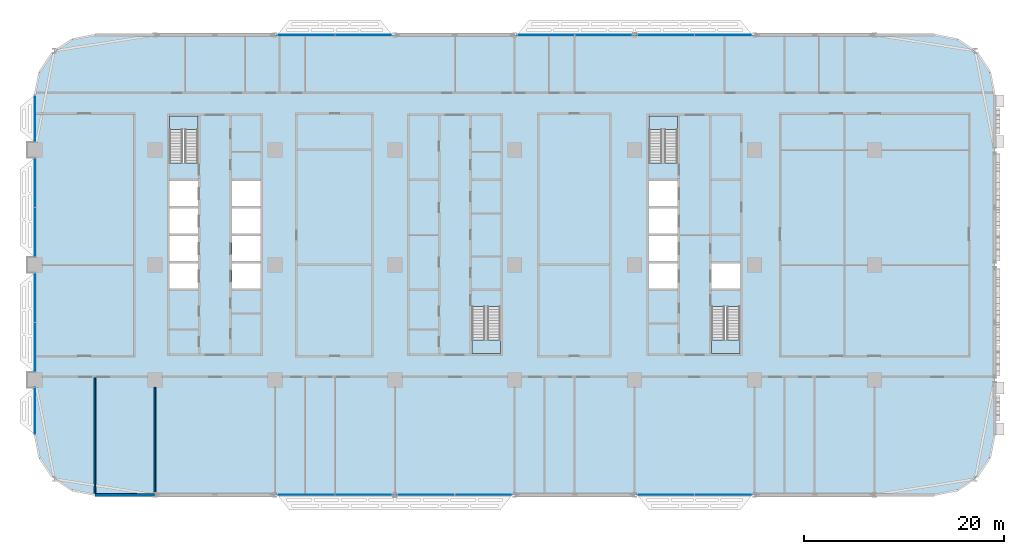
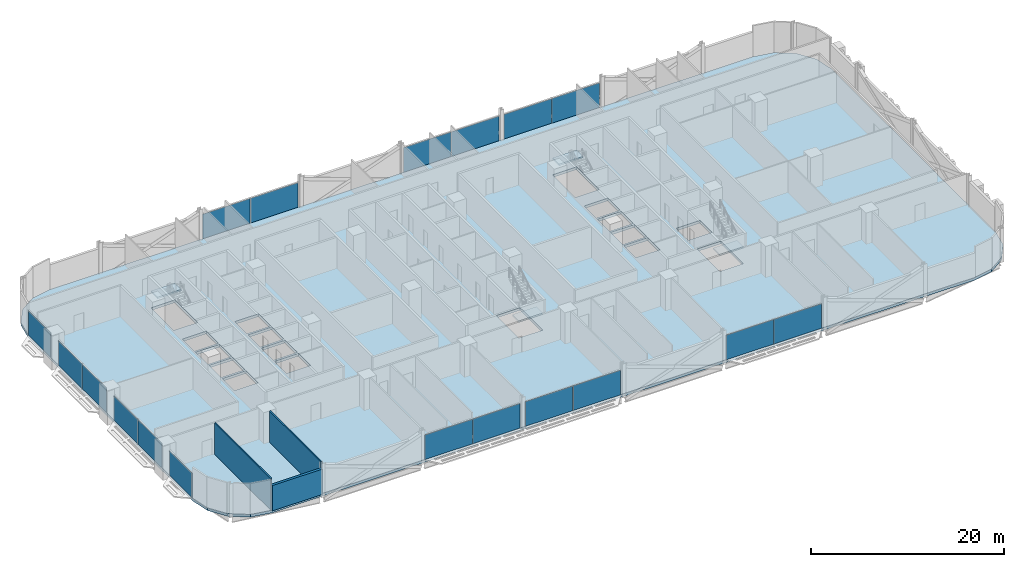
# One storey, part 11 of 29: 18 plates, 5 slabs, 3 walls, 14 elements without a shape of their own.
"""IFC4 building model written with IfcOpenShell, lengths in metres."""

from ifc_helpers import new_model, si_unit, direction, frame, frame_2d, origin, origin_2d, place, context, subcontext, project, spatial, polyline, rectangle, outline, extrude, material, layer, layer_set, type_object, element, aggregate, save


model = new_model("IFC4")

# Units and contexts
model_context = context("Model", 3, precision=1e-05, world=origin(), true_north=direction((0.0, 1.0)))
body_context = subcontext(model_context, "Body", "Model", "MODEL_VIEW")
ifc_project = project(units=[si_unit("LENGTHUNIT", "METRE"), si_unit("AREAUNIT", "SQUARE_METRE"), si_unit("VOLUMEUNIT", "CUBIC_METRE"), si_unit("PLANEANGLEUNIT", "RADIAN"), si_unit("MASSUNIT", "GRAM", prefix="KILO")], contexts=[model_context])

# Site, building, storey
site_placement = place(None, origin())
site = spatial("IfcSite", under=ifc_project, at=site_placement, CompositionType="ELEMENT")
building_placement = place(site_placement, origin())
building = spatial("IfcBuilding", under=site, at=building_placement, Name="Mahtab Terrace Research Tower", CompositionType="ELEMENT")
storey_placement = place(building_placement, frame((0.0, 0.0, 67.5)))
storey = spatial("IfcBuildingStorey", under=building, at=storey_placement, Name="L15", CompositionType="ELEMENT", Elevation=67.5)

# Stair, slab
ifc_material_1 = material(Name="Exit stair half-turn")
stair_type = type_object("IfcStairType", Name="Exit stair half-turn", PredefinedType="HALF_TURN_STAIR", material=ifc_material_1)
stair_1_placement = place(storey_placement, origin())
stair_1 = element("IfcStair", 1, at=stair_1_placement, inside=storey, type_object=stair_type, Name="L15 Protected exit stair ST1", PredefinedType="HALF_TURN_STAIR")
ifc_material_2 = material(Name="Concrete C40/50", Category="concrete")
ifc_layer_1 = layer(ifc_material_2, 0.199951171875)
ifc_layer_set_1 = layer_set([ifc_layer_1], Name="Exit stair landing 200")
slab_type_1 = type_object("IfcSlabType", Name="Exit stair landing 200", PredefinedType="LANDING", material=ifc_layer_set_1)
slab_1_placement = place(storey_placement, frame((0.0, 0.0, 1.949951171875)))
slab_1 = element("IfcSlab", 2, at=slab_1_placement, type_object=slab_type_1, Name="ST1 landing 1", PredefinedType="LANDING", context=body_context, shape_type="SweptSolid", body=[
    extrude(outline(polyline([(-25.699951171875, 13.534912109375), (-25.699951171875, 14.875), (-28.550048828125, 14.875), (-28.550048828125, 13.534912109375), (-25.699951171875, 13.534912109375)])), origin(), (0.0, 0.0, 1.0), 0.199951171875),
])
aggregate(stair_1, [slab_1])

stair_2_placement = place(storey_placement, origin())
stair_2 = element("IfcStair", 3, at=stair_2_placement, inside=storey, type_object=stair_type, Name="L15 Protected exit stair ST2", PredefinedType="HALF_TURN_STAIR")
slab_2_placement = place(storey_placement, frame((0.0, 0.0, 1.949951171875)))
slab_2 = element("IfcSlab", 4, at=slab_2_placement, type_object=slab_type_1, Name="ST2 landing 1", PredefinedType="LANDING", context=body_context, shape_type="SweptSolid", body=[
    extrude(outline(polyline([(1.699951171875, -7.534912109375), (1.699951171875, -8.875), (4.550048828125, -8.875), (4.550048828125, -7.534912109375), (1.699951171875, -7.534912109375)])), origin(), (0.0, 0.0, 1.0), 0.199951171875),
])
aggregate(stair_2, [slab_2])

stair_3_placement = place(storey_placement, origin())
stair_3 = element("IfcStair", 5, at=stair_3_placement, inside=storey, type_object=stair_type, Name="L15 Protected exit stair ST3", PredefinedType="HALF_TURN_STAIR")
slab_3_placement = place(storey_placement, frame((0.0, 0.0, 1.949951171875)))
slab_3 = element("IfcSlab", 6, at=slab_3_placement, type_object=slab_type_1, Name="ST3 landing 1", PredefinedType="LANDING", context=body_context, shape_type="SweptSolid", body=[
    extrude(outline(polyline([(22.300048828125, 13.534912109375), (22.300048828125, 14.875), (19.449951171875, 14.875), (19.449951171875, 13.534912109375), (22.300048828125, 13.534912109375)])), origin(), (0.0, 0.0, 1.0), 0.199951171875),
])
aggregate(stair_3, [slab_3])

stair_4_placement = place(storey_placement, origin())
stair_4 = element("IfcStair", 7, at=stair_4_placement, inside=storey, type_object=stair_type, Name="L15 Protected exit stair ST4", PredefinedType="HALF_TURN_STAIR")
slab_4_placement = place(storey_placement, frame((0.0, 0.0, 1.949951171875)))
slab_4 = element("IfcSlab", 8, at=slab_4_placement, type_object=slab_type_1, Name="ST4 landing 1", PredefinedType="LANDING", context=body_context, shape_type="SweptSolid", body=[
    extrude(outline(polyline([(25.699951171875, -7.534912109375), (25.699951171875, -8.875), (28.550048828125, -8.875), (28.550048828125, -7.534912109375), (25.699951171875, -7.534912109375)])), origin(), (0.0, 0.0, 1.0), 0.199951171875),
])
aggregate(stair_4, [slab_4])

# Curtain wall, plates
ifc_material_3 = material(Name="Laboratory ribbon curtain wall")
curtain_wall_type = type_object("IfcCurtainWallType", Name="Laboratory ribbon curtain wall", PredefinedType="NOTDEFINED", material=ifc_material_3)
curtain_wall_1_placement = place(storey_placement, origin())
curtain_wall_1 = element("IfcCurtainWall", 9, at=curtain_wall_1_placement, inside=storey, type_object=curtain_wall_type, Name="EN.L15.3.5", PredefinedType="NOTDEFINED")
ifc_material_4 = material(Name="Dark glazing", Category="glass")
ifc_layer_2 = layer(ifc_material_4, 0.031982421875)
ifc_layer_set_2 = layer_set([ifc_layer_2], Name="Laboratory ribbon curtain wall glazing panel")
plate_type = type_object("IfcPlateType", Name="Laboratory ribbon curtain wall glazing panel", PredefinedType="CURTAIN_PANEL", material=ifc_layer_set_2)
plate_1_placement = place(storey_placement, frame((26.86474609375, 23.0, 0.0), z_axis=(0.0, 0.0, 1.0), x_axis=(-1.0, 0.0, 0.0)))
plate_1 = element("IfcPlate", 10, at=plate_1_placement, type_object=plate_type, Name="CWL-2 panel 1", PredefinedType="CURTAIN_PANEL", context=body_context, shape_type="SweptSolid", body=[
    extrude(rectangle(XDim=5.66455078125, YDim=0.031982421875, at=origin_2d()), origin(), (0.0, 0.0, 1.0), 3.10302734375),
])
plate_2_placement = place(storey_placement, frame((21.13525390625, 23.0, 0.0), z_axis=(0.0, 0.0, 1.0), x_axis=(-1.0, 0.0, 0.0)))
plate_2 = element("IfcPlate", 11, at=plate_2_placement, type_object=plate_type, Name="CWL-2 panel 2", PredefinedType="CURTAIN_PANEL", context=body_context, shape_type="SweptSolid", body=[
    extrude(rectangle(XDim=5.66455078125, YDim=0.031982421875, at=origin_2d()), origin(), (0.0, 0.0, 1.0), 3.10302734375),
])
aggregate(curtain_wall_1, [plate_1, plate_2])

curtain_wall_2_placement = place(storey_placement, origin())
curtain_wall_2 = element("IfcCurtainWall", 12, at=curtain_wall_2_placement, inside=storey, type_object=curtain_wall_type, Name="EN.L15.3.6", PredefinedType="NOTDEFINED")
plate_3_placement = place(storey_placement, frame((14.86474609375, 23.0, 0.0), z_axis=(0.0, 0.0, 1.0), x_axis=(-1.0, 0.0, 0.0)))
plate_3 = element("IfcPlate", 13, at=plate_3_placement, type_object=plate_type, Name="CWL-2 panel 1", PredefinedType="CURTAIN_PANEL", context=body_context, shape_type="SweptSolid", body=[
    extrude(rectangle(XDim=5.66455078125, YDim=0.031982421875, at=origin_2d()), origin(), (0.0, 0.0, 1.0), 3.10302734375),
])
plate_4_placement = place(storey_placement, frame((9.13525390625, 23.0, 0.0), z_axis=(0.0, 0.0, 1.0), x_axis=(-1.0, 0.0, 0.0)))
plate_4 = element("IfcPlate", 14, at=plate_4_placement, type_object=plate_type, Name="CWL-2 panel 2", PredefinedType="CURTAIN_PANEL", context=body_context, shape_type="SweptSolid", body=[
    extrude(rectangle(XDim=5.66455078125, YDim=0.031982421875, at=origin_2d()), origin(), (0.0, 0.0, 1.0), 3.10302734375),
])
aggregate(curtain_wall_2, [plate_3, plate_4])

curtain_wall_3_placement = place(storey_placement, origin())
curtain_wall_3 = element("IfcCurtainWall", 15, at=curtain_wall_3_placement, inside=storey, type_object=curtain_wall_type, Name="EN.L15.3.8", PredefinedType="NOTDEFINED")
plate_5_placement = place(storey_placement, frame((-9.13525390625, 23.0, 0.0), z_axis=(0.0, 0.0, 1.0), x_axis=(-1.0, 0.0, 0.0)))
plate_5 = element("IfcPlate", 16, at=plate_5_placement, type_object=plate_type, Name="CWL-2 panel 1", PredefinedType="CURTAIN_PANEL", context=body_context, shape_type="SweptSolid", body=[
    extrude(rectangle(XDim=5.66455078125, YDim=0.031982421875, at=origin_2d()), origin(), (0.0, 0.0, 1.0), 3.10302734375),
])
plate_6_placement = place(storey_placement, frame((-14.86474609375, 23.0, 0.0), z_axis=(0.0, 0.0, 1.0), x_axis=(-1.0, 0.0, 0.0)))
plate_6 = element("IfcPlate", 17, at=plate_6_placement, type_object=plate_type, Name="CWL-2 panel 2", PredefinedType="CURTAIN_PANEL", context=body_context, shape_type="SweptSolid", body=[
    extrude(rectangle(XDim=5.66455078125, YDim=0.031982421875, at=origin_2d()), origin(), (0.0, 0.0, 1.0), 3.10302734375),
])
aggregate(curtain_wall_3, [plate_5, plate_6])

# Curtain wall, plate
curtain_wall_4_placement = place(storey_placement, origin())
curtain_wall_4 = element("IfcCurtainWall", 18, at=curtain_wall_4_placement, inside=storey, type_object=curtain_wall_type, Name="EN.L15.8.15", PredefinedType="NOTDEFINED")
plate_7_placement = place(storey_placement, frame((-42.0, 14.625, 0.0), z_axis=(0.0, 0.0, 1.0), x_axis=(0.0, -1.0, 0.0)))
plate_7 = element("IfcPlate", 19, at=plate_7_placement, type_object=plate_type, Name="CWL-2 panel 1", PredefinedType="CURTAIN_PANEL", context=body_context, shape_type="SweptSolid", body=[
    extrude(rectangle(XDim=4.6201171875, YDim=0.031982421875, at=origin_2d()), origin(), (0.0, 0.0, 1.0), 3.10302734375),
])
aggregate(curtain_wall_4, [plate_7])

# Curtain wall, plates
curtain_wall_5_placement = place(storey_placement, origin())
curtain_wall_5 = element("IfcCurtainWall", 20, at=curtain_wall_5_placement, inside=storey, type_object=curtain_wall_type, Name="EN.L15.8.16", PredefinedType="NOTDEFINED")
plate_8_placement = place(storey_placement, frame((-42.0, 8.233642578125, 0.0), z_axis=(0.0, 0.0, 1.0), x_axis=(0.0, -1.0, 0.0)))
plate_8 = element("IfcPlate", 21, at=plate_8_placement, type_object=plate_type, Name="CWL-2 panel 1", PredefinedType="CURTAIN_PANEL", context=body_context, shape_type="SweptSolid", body=[
    extrude(rectangle(XDim=4.902587890625, YDim=0.031982421875, at=origin_2d()), origin(), (0.0, 0.0, 1.0), 3.10302734375),
])
plate_9_placement = place(storey_placement, frame((-42.0, 3.266357421875, 0.0), z_axis=(0.0, 0.0, 1.0), x_axis=(0.0, -1.0, 0.0)))
plate_9 = element("IfcPlate", 22, at=plate_9_placement, type_object=plate_type, Name="CWL-2 panel 2", PredefinedType="CURTAIN_PANEL", context=body_context, shape_type="SweptSolid", body=[
    extrude(rectangle(XDim=4.902587890625, YDim=0.031982421875, at=origin_2d()), origin(), (0.0, 0.0, 1.0), 3.10302734375),
])
aggregate(curtain_wall_5, [plate_8, plate_9])

curtain_wall_6_placement = place(storey_placement, origin())
curtain_wall_6 = element("IfcCurtainWall", 23, at=curtain_wall_6_placement, inside=storey, type_object=curtain_wall_type, Name="EN.L15.8.17", PredefinedType="NOTDEFINED")
plate_10_placement = place(storey_placement, frame((-42.0, -3.266357421875, 0.0), z_axis=(0.0, 0.0, 1.0), x_axis=(0.0, -1.0, 0.0)))
plate_10 = element("IfcPlate", 24, at=plate_10_placement, type_object=plate_type, Name="CWL-2 panel 1", PredefinedType="CURTAIN_PANEL", context=body_context, shape_type="SweptSolid", body=[
    extrude(rectangle(XDim=4.902587890625, YDim=0.031982421875, at=origin_2d()), origin(), (0.0, 0.0, 1.0), 3.10302734375),
])
plate_11_placement = place(storey_placement, frame((-42.0, -8.233642578125, 0.0), z_axis=(0.0, 0.0, 1.0), x_axis=(0.0, -1.0, 0.0)))
plate_11 = element("IfcPlate", 25, at=plate_11_placement, type_object=plate_type, Name="CWL-2 panel 2", PredefinedType="CURTAIN_PANEL", context=body_context, shape_type="SweptSolid", body=[
    extrude(rectangle(XDim=4.902587890625, YDim=0.031982421875, at=origin_2d()), origin(), (0.0, 0.0, 1.0), 3.10302734375),
])
aggregate(curtain_wall_6, [plate_10, plate_11])

# Curtain wall, plate
curtain_wall_7_placement = place(storey_placement, origin())
curtain_wall_7 = element("IfcCurtainWall", 26, at=curtain_wall_7_placement, inside=storey, type_object=curtain_wall_type, Name="EN.L15.8.18", PredefinedType="NOTDEFINED")
plate_12_placement = place(storey_placement, frame((-42.0, -14.625, 0.0), z_axis=(0.0, 0.0, 1.0), x_axis=(0.0, -1.0, 0.0)))
plate_12 = element("IfcPlate", 27, at=plate_12_placement, type_object=plate_type, Name="CWL-2 panel 1", PredefinedType="CURTAIN_PANEL", context=body_context, shape_type="SweptSolid", body=[
    extrude(rectangle(XDim=4.6201171875, YDim=0.031982421875, at=origin_2d()), origin(), (0.0, 0.0, 1.0), 3.10302734375),
])
aggregate(curtain_wall_7, [plate_12])

# Curtain wall, plates
curtain_wall_8_placement = place(storey_placement, origin())
curtain_wall_8 = element("IfcCurtainWall", 28, at=curtain_wall_8_placement, inside=storey, type_object=curtain_wall_type, Name="EN.L15.13.25", PredefinedType="NOTDEFINED")
plate_13_placement = place(storey_placement, frame((-14.86474609375, -23.0, 0.0), z_axis=(0.0, 0.0, 1.0), x_axis=(1.0, 0.0, 0.0)))
plate_13 = element("IfcPlate", 29, at=plate_13_placement, type_object=plate_type, Name="CWL-2 panel 1", PredefinedType="CURTAIN_PANEL", context=body_context, shape_type="SweptSolid", body=[
    extrude(rectangle(XDim=5.66455078125, YDim=0.031982421875, at=origin_2d()), origin(), (0.0, 0.0, 1.0), 3.10302734375),
])
plate_14_placement = place(storey_placement, frame((-9.13525390625, -23.0, 0.0), z_axis=(0.0, 0.0, 1.0), x_axis=(1.0, 0.0, 0.0)))
plate_14 = element("IfcPlate", 30, at=plate_14_placement, type_object=plate_type, Name="CWL-2 panel 2", PredefinedType="CURTAIN_PANEL", context=body_context, shape_type="SweptSolid", body=[
    extrude(rectangle(XDim=5.66455078125, YDim=0.031982421875, at=origin_2d()), origin(), (0.0, 0.0, 1.0), 3.10302734375),
])
aggregate(curtain_wall_8, [plate_13, plate_14])

curtain_wall_9_placement = place(storey_placement, origin())
curtain_wall_9 = element("IfcCurtainWall", 31, at=curtain_wall_9_placement, inside=storey, type_object=curtain_wall_type, Name="EN.L15.13.26", PredefinedType="NOTDEFINED")
plate_15_placement = place(storey_placement, frame((-2.86474609375, -23.0, 0.0), z_axis=(0.0, 0.0, 1.0), x_axis=(1.0, 0.0, 0.0)))
plate_15 = element("IfcPlate", 32, at=plate_15_placement, type_object=plate_type, Name="CWL-2 panel 1", PredefinedType="CURTAIN_PANEL", context=body_context, shape_type="SweptSolid", body=[
    extrude(rectangle(XDim=5.66455078125, YDim=0.031982421875, at=origin_2d()), origin(), (0.0, 0.0, 1.0), 3.10302734375),
])
plate_16_placement = place(storey_placement, frame((2.86474609375, -23.0, 0.0), z_axis=(0.0, 0.0, 1.0), x_axis=(1.0, 0.0, 0.0)))
plate_16 = element("IfcPlate", 33, at=plate_16_placement, type_object=plate_type, Name="CWL-2 panel 2", PredefinedType="CURTAIN_PANEL", context=body_context, shape_type="SweptSolid", body=[
    extrude(rectangle(XDim=5.66455078125, YDim=0.031982421875, at=origin_2d()), origin(), (0.0, 0.0, 1.0), 3.10302734375),
])
aggregate(curtain_wall_9, [plate_15, plate_16])

curtain_wall_10_placement = place(storey_placement, origin())
curtain_wall_10 = element("IfcCurtainWall", 34, at=curtain_wall_10_placement, inside=storey, type_object=curtain_wall_type, Name="EN.L15.13.28", PredefinedType="NOTDEFINED")
plate_17_placement = place(storey_placement, frame((21.13525390625, -23.0, 0.0), z_axis=(0.0, 0.0, 1.0), x_axis=(1.0, 0.0, 0.0)))
plate_17 = element("IfcPlate", 35, at=plate_17_placement, type_object=plate_type, Name="CWL-2 panel 1", PredefinedType="CURTAIN_PANEL", context=body_context, shape_type="SweptSolid", body=[
    extrude(rectangle(XDim=5.66455078125, YDim=0.031982421875, at=origin_2d()), origin(), (0.0, 0.0, 1.0), 3.10302734375),
])
plate_18_placement = place(storey_placement, frame((26.86474609375, -23.0, 0.0), z_axis=(0.0, 0.0, 1.0), x_axis=(1.0, 0.0, 0.0)))
plate_18 = element("IfcPlate", 36, at=plate_18_placement, type_object=plate_type, Name="CWL-2 panel 2", PredefinedType="CURTAIN_PANEL", context=body_context, shape_type="SweptSolid", body=[
    extrude(rectangle(XDim=5.66455078125, YDim=0.031982421875, at=origin_2d()), origin(), (0.0, 0.0, 1.0), 3.10302734375),
])
aggregate(curtain_wall_10, [plate_17, plate_18])

# Slab
ifc_layer_3 = layer(ifc_material_2, 0.340087890625)
ifc_layer_set_3 = layer_set([ifc_layer_3], Name="PT flat slab 340")
slab_type_2 = type_object("IfcSlabType", Name="PT flat slab 340", PredefinedType="FLOOR", material=ifc_layer_set_3)
slab_5_placement = place(storey_placement, frame((0.0, 0.0, -0.340087890625)))
element("IfcSlab", 37, at=slab_5_placement, inside=storey, type_object=slab_type_2, Name="Floor slab L15", PredefinedType="FLOOR", context=body_context, shape_type="SweptSolid", body=[
    extrude(outline(polyline([(53.54296875, 19.2958984375), (52.242919921875, 21.242919921875), (50.2958984375, 22.54296875), (48.0, 23.0), (-36.0, 23.0), (-38.2958984375, 22.54296875), (-40.242919921875, 21.242919921875), (-41.54296875, 19.2958984375), (-42.0, 17.0), (-42.0, -17.0), (-41.54296875, -19.2958984375), (-40.242919921875, -21.242919921875), (-38.2958984375, -22.54296875), (-36.0, -23.0), (48.0, -23.0), (50.2958984375, -22.54296875), (52.242919921875, -21.242919921875), (53.54296875, -19.2958984375), (54.0, -17.0), (54.0, 17.0), (53.54296875, 19.2958984375)]), holes=[polyline([(-28.550048828125, -2.375), (-28.550048828125, 0.125), (-25.699951171875, 0.125), (-25.699951171875, -2.375), (-28.550048828125, -2.375)]), polyline([(-22.300048828125, -2.375), (-22.300048828125, 0.125), (-19.449951171875, 0.125), (-19.449951171875, -2.375), (-22.300048828125, -2.375)]), polyline([(-28.550048828125, 0.375), (-28.550048828125, 2.875), (-25.699951171875, 2.875), (-25.699951171875, 0.375), (-28.550048828125, 0.375)]), polyline([(-22.300048828125, 0.375), (-22.300048828125, 2.875), (-19.449951171875, 2.875), (-19.449951171875, 0.375), (-22.300048828125, 0.375)]), polyline([(-28.550048828125, 3.125), (-28.550048828125, 5.625), (-25.699951171875, 5.625), (-25.699951171875, 3.125), (-28.550048828125, 3.125)]), polyline([(-22.300048828125, 3.125), (-22.300048828125, 5.625), (-19.449951171875, 5.625), (-19.449951171875, 3.125), (-22.300048828125, 3.125)]), polyline([(-28.550048828125, 5.875), (-28.550048828125, 8.375), (-25.699951171875, 8.375), (-25.699951171875, 5.875), (-28.550048828125, 5.875)]), polyline([(-22.300048828125, 5.875), (-22.300048828125, 8.375), (-19.449951171875, 8.375), (-19.449951171875, 5.875), (-22.300048828125, 5.875)]), polyline([(-28.550048828125, 10.177001953125), (-28.550048828125, 14.875), (-25.699951171875, 14.875), (-25.699951171875, 10.177001953125), (-28.550048828125, 10.177001953125)]), polyline([(1.699951171875, -8.875), (1.699951171875, -4.177001953125), (4.550048828125, -4.177001953125), (4.550048828125, -8.875), (1.699951171875, -8.875)]), polyline([(25.699951171875, -8.875), (25.699951171875, -4.177001953125), (28.550048828125, -4.177001953125), (28.550048828125, -8.875), (25.699951171875, -8.875)]), polyline([(19.449951171875, -2.375), (19.449951171875, 0.125), (22.300048828125, 0.125), (22.300048828125, -2.375), (19.449951171875, -2.375)]), polyline([(25.699951171875, -2.375), (25.699951171875, 0.125), (28.550048828125, 0.125), (28.550048828125, -2.375), (25.699951171875, -2.375)]), polyline([(19.449951171875, 0.375), (19.449951171875, 2.875), (22.300048828125, 2.875), (22.300048828125, 0.375), (19.449951171875, 0.375)]), polyline([(19.449951171875, 3.125), (19.449951171875, 5.625), (22.300048828125, 5.625), (22.300048828125, 3.125), (19.449951171875, 3.125)]), polyline([(19.449951171875, 8.375), (22.300048828125, 8.375), (22.300048828125, 5.875), (19.449951171875, 5.875), (19.449951171875, 8.375)]), polyline([(19.449951171875, 14.875), (22.300048828125, 14.875), (22.300048828125, 10.177001953125), (19.449951171875, 10.177001953125), (19.449951171875, 14.875)])]), origin(), (0.0, 0.0, 1.0), 0.340087890625),
])

# Walls
ifc_material_5 = material(Name="Black aluminium cladding panel", Category="aluminium")
ifc_layer_4 = layer(ifc_material_5, 0.300048828125)
ifc_layer_set_4 = layer_set([ifc_layer_4], Name="Opaque facade wall 300")
wall_type_1 = type_object("IfcWallType", Name="Opaque facade wall 300", PredefinedType="NOTDEFINED", material=ifc_layer_set_4)
wall_1_placement = place(storey_placement, frame((-36.0, -23.0, 0.0), z_axis=(0.0, 0.0, 1.0), x_axis=(1.0, 0.0, 0.0)))
element("IfcWall", 38, at=wall_1_placement, inside=storey, type_object=wall_type_1, Name="Opaque facade wall L15 S23", PredefinedType="NOTDEFINED", context=body_context, shape_type="SweptSolid", body=[
    extrude(rectangle(XDim=5.97607421875, YDim=0.300048828125, at=frame_2d((2.988037109375, 0.0))), origin(), (0.0, 0.0, 1.0), 3.203125),
])
ifc_material_6 = material(Name="Gypsum board partition on steel studs", Category="steel")
ifc_layer_5 = layer(ifc_material_6, 0.14990234375)
ifc_layer_set_5 = layer_set([ifc_layer_5], Name="WALL PARTITION 150")
wall_type_2 = type_object("IfcWallType", Name="WALL PARTITION 150", PredefinedType="PARTITIONING", material=ifc_layer_set_5)
wall_2_placement = place(storey_placement, frame((-36.0, -22.84716796875, 0.0), z_axis=(0.0, 0.0, 1.0), x_axis=(0.0, 1.0, 0.0)))
element("IfcWall", 39, at=wall_2_placement, inside=storey, type_object=wall_type_2, Name="L15-W026", PredefinedType="PARTITIONING", context=body_context, shape_type="SweptSolid", body=[
    extrude(rectangle(XDim=11.547119140625, YDim=0.14990234375, at=frame_2d((5.7734375, 0.0))), origin(), (0.0, 0.0, 1.0), 3.9599609375),
])
wall_3_placement = place(storey_placement, frame((-30.0, -22.85009765625, 0.0), z_axis=(0.0, 0.0, 1.0), x_axis=(0.0, 1.0, 0.0)))
element("IfcWall", 40, at=wall_3_placement, inside=storey, type_object=wall_type_2, Name="L15-W028", PredefinedType="PARTITIONING", context=body_context, shape_type="SweptSolid", body=[
    extrude(rectangle(XDim=10.60009765625, YDim=0.14990234375, at=frame_2d((5.300048828125, 0.0))), origin(), (0.0, 0.0, 1.0), 3.9599609375),
])

save(model, "model.ifc")
